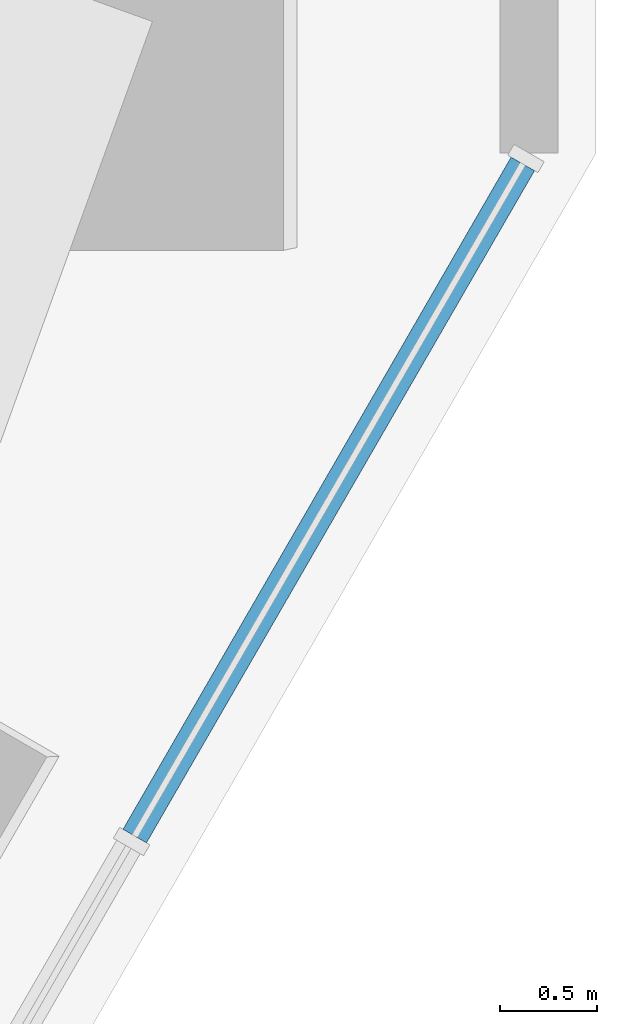
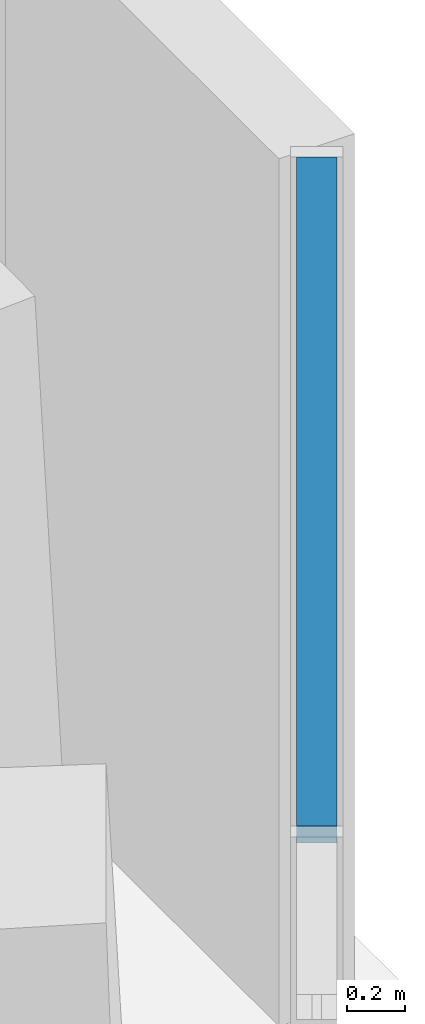
# One storey, part 6 of 18: 1 member, 1 element without a shape of its own.
"""IFC4 building model written with IfcOpenShell, lengths in metres."""

from ifc_helpers import new_model, si_unit, direction, frame, origin, origin_2d, place, context, subcontext, project, spatial, rectangle, extrude, material, material_profile, profile_set, type_object, element, aggregate, save


model = new_model("IFC4")

# Units and contexts
model_context = context("Model", 3, precision=1e-05, world=origin(), true_north=direction((0.0, 1.0)))
body_context = subcontext(model_context, "Body", "Model", "MODEL_VIEW")
ifc_project = project(units=[si_unit("LENGTHUNIT", "METRE"), si_unit("AREAUNIT", "SQUARE_METRE"), si_unit("VOLUMEUNIT", "CUBIC_METRE"), si_unit("PLANEANGLEUNIT", "RADIAN"), si_unit("MASSUNIT", "GRAM", prefix="KILO")], contexts=[model_context])

# Site, building, storey
site_placement = place(None, origin())
site = spatial("IfcSite", under=ifc_project, at=site_placement, CompositionType="ELEMENT")
building_placement = place(site_placement, origin())
building = spatial("IfcBuilding", under=site, at=building_placement, Name="Sandreach Pilgrim Tower", CompositionType="ELEMENT")
storey_placement = place(building_placement, frame((0.0, 0.0, 153.800048828125)))
storey = spatial("IfcBuildingStorey", under=building, at=storey_placement, Name="L38", CompositionType="ELEMENT", Elevation=153.800048828125)

# Curtain wall, member
ifc_material_1 = material(Name="Aluminium framed curtain wall", Category="aluminium")
curtain_wall_type = type_object("IfcCurtainWallType", Name="Hotel tower curtain wall", PredefinedType="NOTDEFINED", material=ifc_material_1)
curtain_wall_placement = place(storey_placement, origin())
curtain_wall = element("IfcCurtainWall", 1, at=curtain_wall_placement, inside=storey, type_object=curtain_wall_type, Name="CW-2 L38 SE", PredefinedType="NOTDEFINED")
ifc_material_2 = material(Name="Aluminium extrusion", Category="aluminium")
ifc_material_profile = material_profile(ifc_material_2, rectangle(XDim=0.139892578125, YDim=0.070068359375, at=origin_2d()), Name="CW-2T 140X70")
ifc_profile_set = profile_set([ifc_material_profile], Name="Aluminium extrusion")
member_type = type_object("IfcMemberType", Name="CW-2 transom", PredefinedType="USERDEFINED", material=ifc_profile_set)
member_placement = place(storey_placement, frame((28.6884765625, 4.7021484375, 3.60498046875), z_axis=(-0.500015851672, -0.866016251624, 0.0), x_axis=(0.866016251624, -0.500015851672, 0.0)))
member = element("IfcMember", 2, at=member_placement, type_object=member_type, Name="CW-2 head transom 1", ObjectType="TRANSOM", PredefinedType="USERDEFINED", context=body_context, shape_type="SweptSolid", body=[
    extrude(rectangle(XDim=0.139892578125, YDim=0.070068359375, at=origin_2d()), origin(), (0.0, 0.0, 1.0), 4.009521484375),
])
aggregate(curtain_wall, [member])

save(model, "model.ifc")
